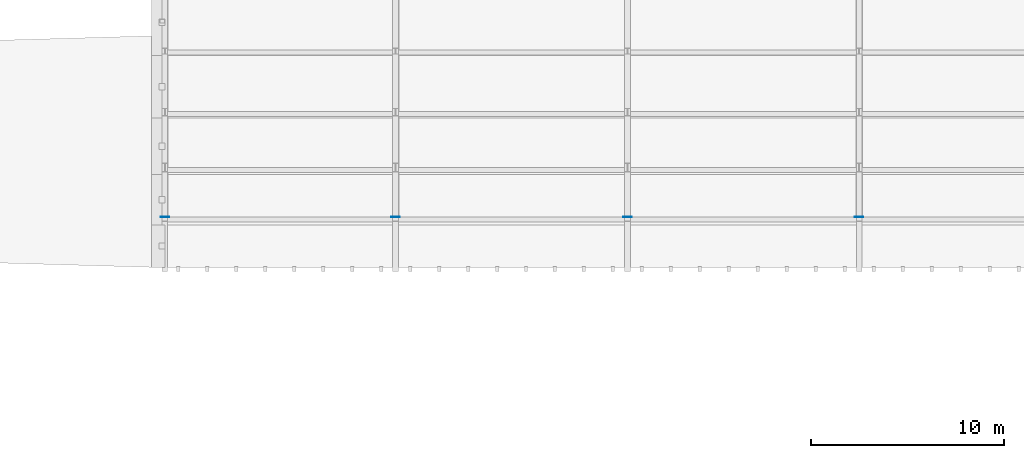
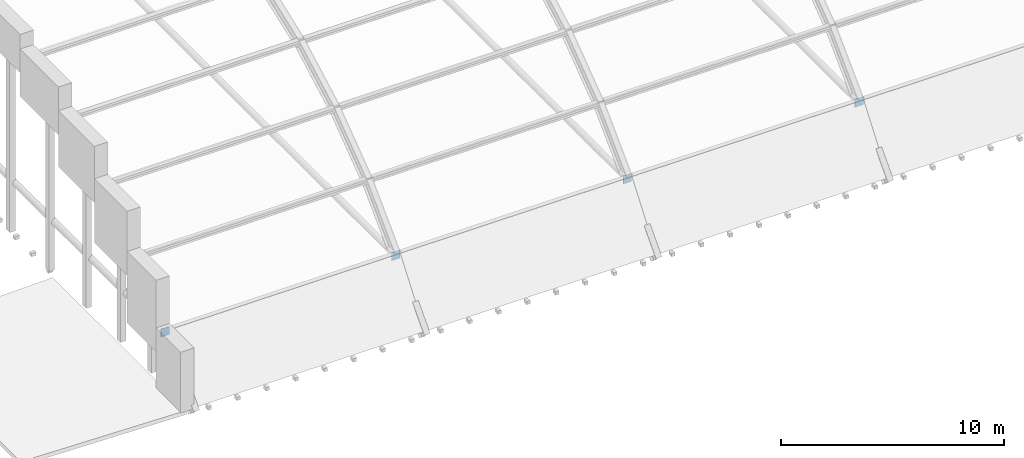
# One storey, part 10 of 35: 4 plates.
"""IFC4 building model written with IfcOpenShell, lengths in metres."""

from ifc_helpers import new_model, si_unit, direction, frame, origin, origin_2d, place, context, subcontext, project, spatial, rectangle, extrude, material, layer, layer_set, type_object, element, save


model = new_model("IFC4")

# Units and contexts
model_context = context("Model", 3, precision=1e-05, world=origin(), true_north=direction((0.0, 1.0)))
body_context = subcontext(model_context, "Body", "Model", "MODEL_VIEW")
ifc_project = project(units=[si_unit("LENGTHUNIT", "METRE"), si_unit("AREAUNIT", "SQUARE_METRE"), si_unit("VOLUMEUNIT", "CUBIC_METRE"), si_unit("PLANEANGLEUNIT", "RADIAN"), si_unit("MASSUNIT", "GRAM", prefix="KILO")], contexts=[model_context])

# Site, building, storey
site_placement = place(None, origin())
site = spatial("IfcSite", under=ifc_project, at=site_placement, CompositionType="ELEMENT")
building_placement = place(site_placement, origin())
building = spatial("IfcBuilding", under=site, at=building_placement, Name="Zlatogorsky Bluff Art Gallery", CompositionType="ELEMENT")
storey_placement = place(building_placement, frame((0.0, 0.0, 23.39990234375)))
storey = spatial("IfcBuildingStorey", under=building, at=storey_placement, Name="L04", CompositionType="ELEMENT", Elevation=23.39990234375)

# Plates
ifc_material = material(Name="Steel S355", Category="steel")
ifc_layer = layer(ifc_material, 0.43994140625)
ifc_layer_set = layer_set([ifc_layer], Name="Node Plate CP-03")
plate_type = type_object("IfcPlateType", Name="Node Plate CP-03", PredefinedType="USERDEFINED", material=ifc_layer_set)
for number, where, z_axis, x_axis, name in (
    (1, (0.050048828125, 86.623779296875, 2.357177734375), (0.0, 0.0, 1.0), (1.0, 0.0, 0.0), "Vault tie south cap plate A"),
    (2, (12.0, 86.623779296875, 2.357177734375), (0.0, 0.0, 1.0), (1.0, 0.0, 0.0), "Vault tie south cap plate B"),
    (3, (24.0, 86.623779296875, 2.357177734375), (0.0, 0.0, 1.0), (1.0, 0.0, 0.0), "Vault tie south cap plate C"),
    (4, (36.0, 86.623779296875, 2.357177734375), (0.0, 0.0, 1.0), (1.0, 0.0, 0.0), "Vault tie south cap plate D"),
):
    element("IfcPlate", number, at=place(storey_placement, frame(where, z_axis=z_axis, x_axis=x_axis)), inside=storey, type_object=plate_type, Name=name, ObjectType="CAP PLATE", PredefinedType="USERDEFINED", context=body_context, shape_type="SweptSolid", body=[
        extrude(rectangle(XDim=0.43994140625, YDim=0.02587890625, at=origin_2d()), origin(), (0.0, 0.0, 1.0), 0.43994140625),
    ])

save(model, "model.ifc")
